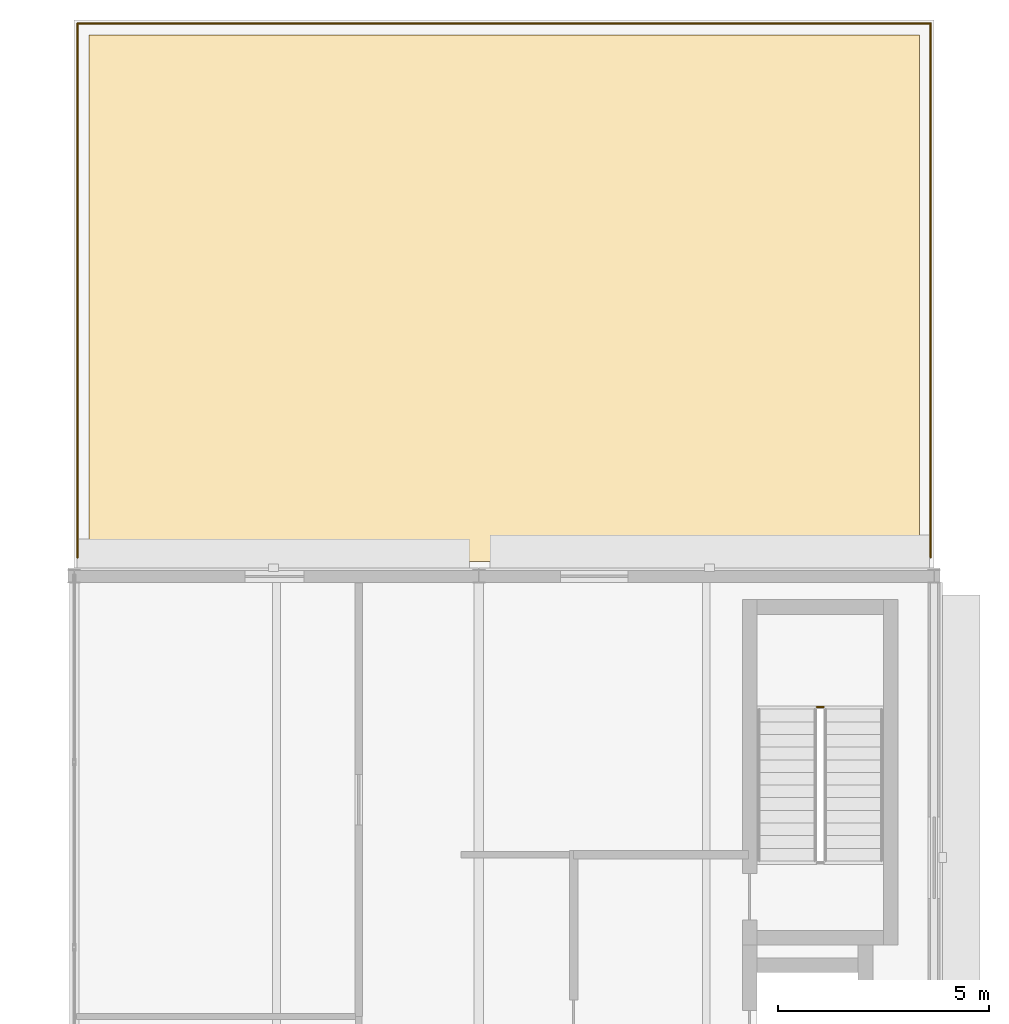
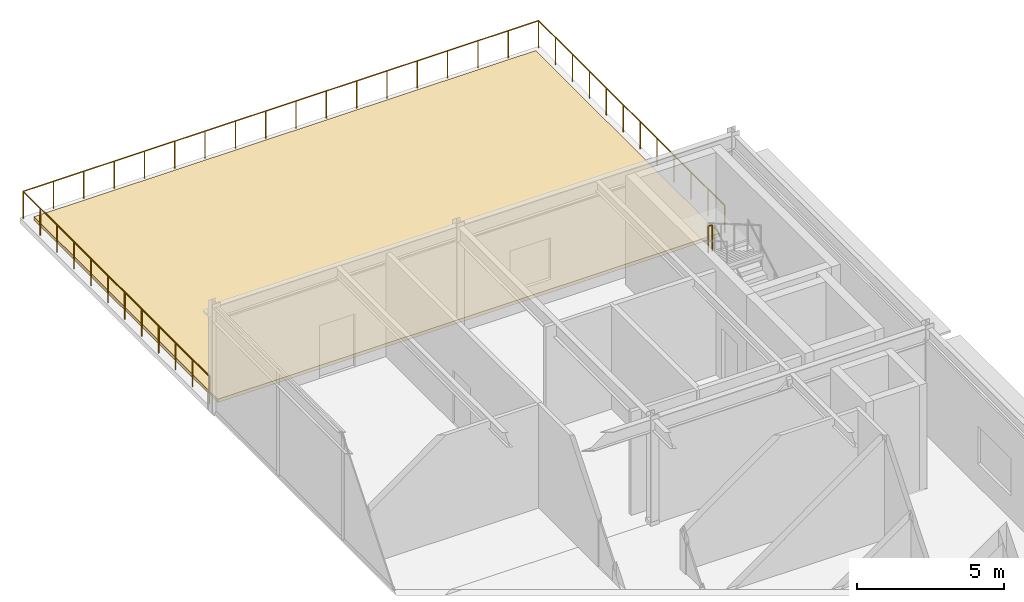
# One storey, part 18 of 18: 4 railings, 1 covering.
"""IFC4 building model written with IfcOpenShell, lengths in metres."""

from ifc_helpers import new_model, si_unit, direction, frame, origin, origin_2d, place, context, subcontext, project, spatial, polyline, circle, outline, extrude, material, layer, layer_set, type_object, element, save


model = new_model("IFC4")

# Units and contexts
model_context = context("Model", 3, precision=1e-05, world=origin(), true_north=direction((0.0, 1.0)))
body_context = subcontext(model_context, "Body", "Model", "MODEL_VIEW")
ifc_project = project(units=[si_unit("LENGTHUNIT", "METRE"), si_unit("AREAUNIT", "SQUARE_METRE"), si_unit("VOLUMEUNIT", "CUBIC_METRE"), si_unit("PLANEANGLEUNIT", "RADIAN"), si_unit("MASSUNIT", "GRAM", prefix="KILO")], contexts=[model_context])

# Site, building, storey
site_placement = place(None, origin())
site = spatial("IfcSite", under=ifc_project, at=site_placement, CompositionType="ELEMENT")
building_placement = place(site_placement, origin())
building = spatial("IfcBuilding", under=site, at=building_placement, Name="Almandine Court Research Institute", CompositionType="ELEMENT")
storey_placement = place(building_placement, frame((0.0, 0.0, 37.10009765625)))
storey = spatial("IfcBuildingStorey", under=building, at=storey_placement, Name="L08", CompositionType="ELEMENT", Elevation=37.10009765625)

# Covering
ifc_material_1 = material(Name="Extensive Andean Sedum Planted Green Roof Build-Up")
ifc_layer = layer(ifc_material_1, 0.139892578125)
ifc_layer_set = layer_set([ifc_layer], Name="Extensive Andean Sedum Planted Green Roof Build-Up")
covering_type = type_object("IfcCoveringType", Name="Cov-ROOF-GREEN", PredefinedType="ROOFING", material=ifc_layer_set)
covering_placement = place(storey_placement, origin())
element("IfcCovering", 1, at=covering_placement, inside=storey, type_object=covering_type, Name="L08 Planted Green Roof Covering 08", PredefinedType="ROOFING", context=body_context, shape_type="SweptSolid", body=[
    extrude(outline(polyline([(153.949951171875, 57.949951171875), (153.949951171875, 70.449951171875), (173.64990234375, 70.449951171875), (173.64990234375, 57.949951171875), (153.949951171875, 57.949951171875)])), origin(), (0.0, 0.0, 1.0), 0.139892578125),
])

# Railings
ifc_material_2 = material(Name="Architectural Powder-Coated Aluminium Balustrade", Category="aluminium")
railing_type_1 = type_object("IfcRailingType", Name="Rail-BAL-EXT", PredefinedType="BALUSTRADE", material=ifc_material_2)
railing_1_placement = place(storey_placement, frame((153.679931640625, 58.050048828125, 0.0)))
element("IfcRailing", 2, at=railing_1_placement, inside=storey, type_object=railing_type_1, Name="L08 Terrace Perimeter Balustrade 021", PredefinedType="BALUSTRADE", context=body_context, shape_type="SweptSolid", body=[
    extrude(circle(Radius=0.02392578125, at=origin_2d()), frame((0.0, 0.0, 1.1259765625), z_axis=(0.0, 1.0, 0.0), x_axis=(-1.0, 0.0, 0.0)), (0.0, 0.0, 1.0), 12.669921875),
    extrude(circle(Radius=0.02099609375, at=origin_2d()), origin(), (0.0, 0.0, 1.0), 1.101806640625),
    extrude(circle(Radius=0.02099609375, at=origin_2d()), frame((0.0, 1.15185546875, 0.0)), (0.0, 0.0, 1.0), 1.101806640625),
    extrude(circle(Radius=0.02099609375, at=origin_2d()), frame((0.0, 2.3037109375, 0.0)), (0.0, 0.0, 1.0), 1.101806640625),
    extrude(circle(Radius=0.02099609375, at=origin_2d()), frame((0.0, 3.455322265625, 0.0)), (0.0, 0.0, 1.0), 1.101806640625),
    extrude(circle(Radius=0.02099609375, at=origin_2d()), frame((0.0, 4.607177734375, 0.0)), (0.0, 0.0, 1.0), 1.101806640625),
    extrude(circle(Radius=0.02099609375, at=origin_2d()), frame((0.0, 5.759033203125, 0.0)), (0.0, 0.0, 1.0), 1.101806640625),
    extrude(circle(Radius=0.02099609375, at=origin_2d()), frame((0.0, 6.910888671875, 0.0)), (0.0, 0.0, 1.0), 1.101806640625),
    extrude(circle(Radius=0.02099609375, at=origin_2d()), frame((0.0, 8.062744140625, 0.0)), (0.0, 0.0, 1.0), 1.101806640625),
    extrude(circle(Radius=0.02099609375, at=origin_2d()), frame((0.0, 9.214599609375, 0.0)), (0.0, 0.0, 1.0), 1.101806640625),
    extrude(circle(Radius=0.02099609375, at=origin_2d()), frame((0.0, 10.3662109375, 0.0)), (0.0, 0.0, 1.0), 1.101806640625),
    extrude(circle(Radius=0.02099609375, at=origin_2d()), frame((0.0, 11.51806640625, 0.0)), (0.0, 0.0, 1.0), 1.101806640625),
    extrude(circle(Radius=0.02099609375, at=origin_2d()), frame((0.0, 12.669921875, 0.0)), (0.0, 0.0, 1.0), 1.101806640625),
])
railing_2_placement = place(storey_placement, frame((153.679931640625, 70.719970703125, 0.0)))
element("IfcRailing", 3, at=railing_2_placement, inside=storey, type_object=railing_type_1, Name="L08 Terrace Perimeter Balustrade 022", PredefinedType="BALUSTRADE", context=body_context, shape_type="SweptSolid", body=[
    extrude(circle(Radius=0.02392578125, at=origin_2d()), frame((0.0, 0.0, 1.1259765625), z_axis=(1.0, 0.0, 0.0), x_axis=(0.0, 1.0, 0.0)), (0.0, 0.0, 1.0), 20.239990234375),
    extrude(circle(Radius=0.02099609375, at=origin_2d()), origin(), (0.0, 0.0, 1.0), 1.101806640625),
    extrude(circle(Radius=0.02099609375, at=origin_2d()), frame((1.190673828125, 0.0, 0.0)), (0.0, 0.0, 1.0), 1.101806640625),
    extrude(circle(Radius=0.02099609375, at=origin_2d()), frame((2.381103515625, 0.0, 0.0)), (0.0, 0.0, 1.0), 1.101806640625),
    extrude(circle(Radius=0.02099609375, at=origin_2d()), frame((3.57177734375, 0.0, 0.0)), (0.0, 0.0, 1.0), 1.101806640625),
    extrude(circle(Radius=0.02099609375, at=origin_2d()), frame((4.762451171875, 0.0, 0.0)), (0.0, 0.0, 1.0), 1.101806640625),
    extrude(circle(Radius=0.02099609375, at=origin_2d()), frame((5.952880859375, 0.0, 0.0)), (0.0, 0.0, 1.0), 1.101806640625),
    extrude(circle(Radius=0.02099609375, at=origin_2d()), frame((7.1435546875, 0.0, 0.0)), (0.0, 0.0, 1.0), 1.101806640625),
    extrude(circle(Radius=0.02099609375, at=origin_2d()), frame((8.334228515625, 0.0, 0.0)), (0.0, 0.0, 1.0), 1.101806640625),
    extrude(circle(Radius=0.02099609375, at=origin_2d()), frame((9.524658203125, 0.0, 0.0)), (0.0, 0.0, 1.0), 1.101806640625),
    extrude(circle(Radius=0.02099609375, at=origin_2d()), frame((10.71533203125, 0.0, 0.0)), (0.0, 0.0, 1.0), 1.101806640625),
    extrude(circle(Radius=0.02099609375, at=origin_2d()), frame((11.90576171875, 0.0, 0.0)), (0.0, 0.0, 1.0), 1.101806640625),
    extrude(circle(Radius=0.02099609375, at=origin_2d()), frame((13.096435546875, 0.0, 0.0)), (0.0, 0.0, 1.0), 1.101806640625),
    extrude(circle(Radius=0.02099609375, at=origin_2d()), frame((14.287109375, 0.0, 0.0)), (0.0, 0.0, 1.0), 1.101806640625),
    extrude(circle(Radius=0.02099609375, at=origin_2d()), frame((15.4775390625, 0.0, 0.0)), (0.0, 0.0, 1.0), 1.101806640625),
    extrude(circle(Radius=0.02099609375, at=origin_2d()), frame((16.668212890625, 0.0, 0.0)), (0.0, 0.0, 1.0), 1.101806640625),
    extrude(circle(Radius=0.02099609375, at=origin_2d()), frame((17.85888671875, 0.0, 0.0)), (0.0, 0.0, 1.0), 1.101806640625),
    extrude(circle(Radius=0.02099609375, at=origin_2d()), frame((19.04931640625, 0.0, 0.0)), (0.0, 0.0, 1.0), 1.101806640625),
    extrude(circle(Radius=0.02099609375, at=origin_2d()), frame((20.239990234375, 0.0, 0.0)), (0.0, 0.0, 1.0), 1.101806640625),
])
railing_3_placement = place(storey_placement, frame((173.919921875, 70.719970703125, 0.0)))
element("IfcRailing", 4, at=railing_3_placement, inside=storey, type_object=railing_type_1, Name="L08 Terrace Perimeter Balustrade 023", PredefinedType="BALUSTRADE", context=body_context, shape_type="SweptSolid", body=[
    extrude(circle(Radius=0.02392578125, at=origin_2d()), frame((0.0, 0.0, 1.1259765625), z_axis=(0.0, -1.0, 0.0), x_axis=(1.0, 0.0, 0.0)), (0.0, 0.0, 1.0), 12.669921875),
    extrude(circle(Radius=0.02099609375, at=origin_2d()), origin(), (0.0, 0.0, 1.0), 1.101806640625),
    extrude(circle(Radius=0.02099609375, at=origin_2d()), frame((0.0, -1.15185546875, 0.0)), (0.0, 0.0, 1.0), 1.101806640625),
    extrude(circle(Radius=0.02099609375, at=origin_2d()), frame((0.0, -2.3037109375, 0.0)), (0.0, 0.0, 1.0), 1.101806640625),
    extrude(circle(Radius=0.02099609375, at=origin_2d()), frame((0.0, -3.455322265625, 0.0)), (0.0, 0.0, 1.0), 1.101806640625),
    extrude(circle(Radius=0.02099609375, at=origin_2d()), frame((0.0, -4.607177734375, 0.0)), (0.0, 0.0, 1.0), 1.101806640625),
    extrude(circle(Radius=0.02099609375, at=origin_2d()), frame((0.0, -5.759033203125, 0.0)), (0.0, 0.0, 1.0), 1.101806640625),
    extrude(circle(Radius=0.02099609375, at=origin_2d()), frame((0.0, -6.910888671875, 0.0)), (0.0, 0.0, 1.0), 1.101806640625),
    extrude(circle(Radius=0.02099609375, at=origin_2d()), frame((0.0, -8.062744140625, 0.0)), (0.0, 0.0, 1.0), 1.101806640625),
    extrude(circle(Radius=0.02099609375, at=origin_2d()), frame((0.0, -9.214599609375, 0.0)), (0.0, 0.0, 1.0), 1.101806640625),
    extrude(circle(Radius=0.02099609375, at=origin_2d()), frame((0.0, -10.3662109375, 0.0)), (0.0, 0.0, 1.0), 1.101806640625),
    extrude(circle(Radius=0.02099609375, at=origin_2d()), frame((0.0, -11.51806640625, 0.0)), (0.0, 0.0, 1.0), 1.101806640625),
    extrude(circle(Radius=0.02099609375, at=origin_2d()), frame((0.0, -12.669921875, 0.0)), (0.0, 0.0, 1.0), 1.101806640625),
])
ifc_material_3 = material(Name="Powder-Coated Steel Stair and Atrium Balustrade", Category="steel")
railing_type_2 = type_object("IfcRailingType", Name="Rail-GUARD-INT", PredefinedType="BALUSTRADE", material=ifc_material_3)
railing_4_placement = place(storey_placement, frame((171.3798828125, 54.5, 2.27490234375)))
element("IfcRailing", 5, at=railing_4_placement, inside=storey, type_object=railing_type_2, Name="L08 ST-08 stair guard 2", PredefinedType="BALUSTRADE", context=body_context, shape_type="SweptSolid", body=[
    extrude(circle(Radius=0.02392578125, at=origin_2d()), frame((0.0, 0.0, 1.09619140625), z_axis=(-1.0, 0.0, 0.0), x_axis=(0.0, -1.0, 0.0)), (0.0, 0.0, 1.0), 0.159912109375),
    extrude(circle(Radius=0.02099609375, at=origin_2d()), origin(), (0.0, 0.0, 1.0), 1.072021484375),
    extrude(circle(Radius=0.02099609375, at=origin_2d()), frame((-0.159912109375, 0.0, 0.0)), (0.0, 0.0, 1.0), 1.072021484375),
])

save(model, "model.ifc")
